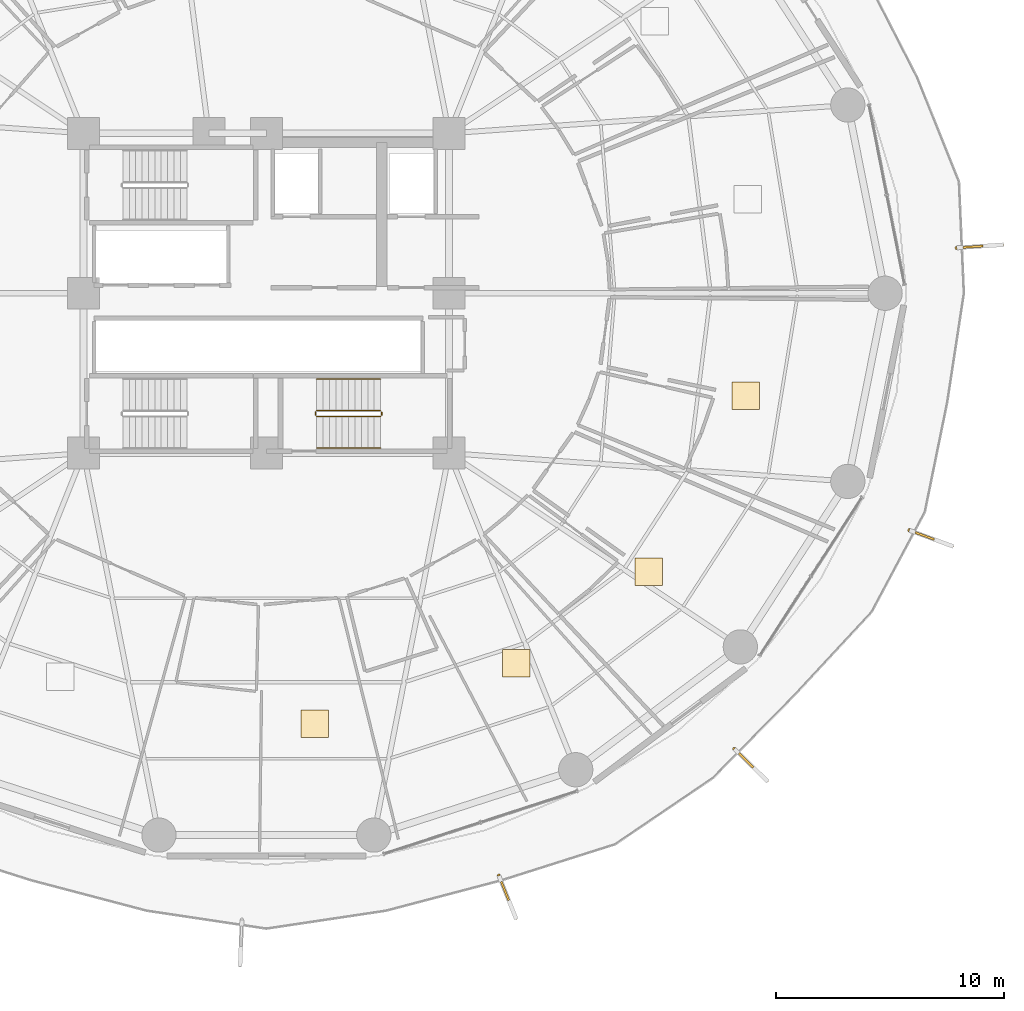
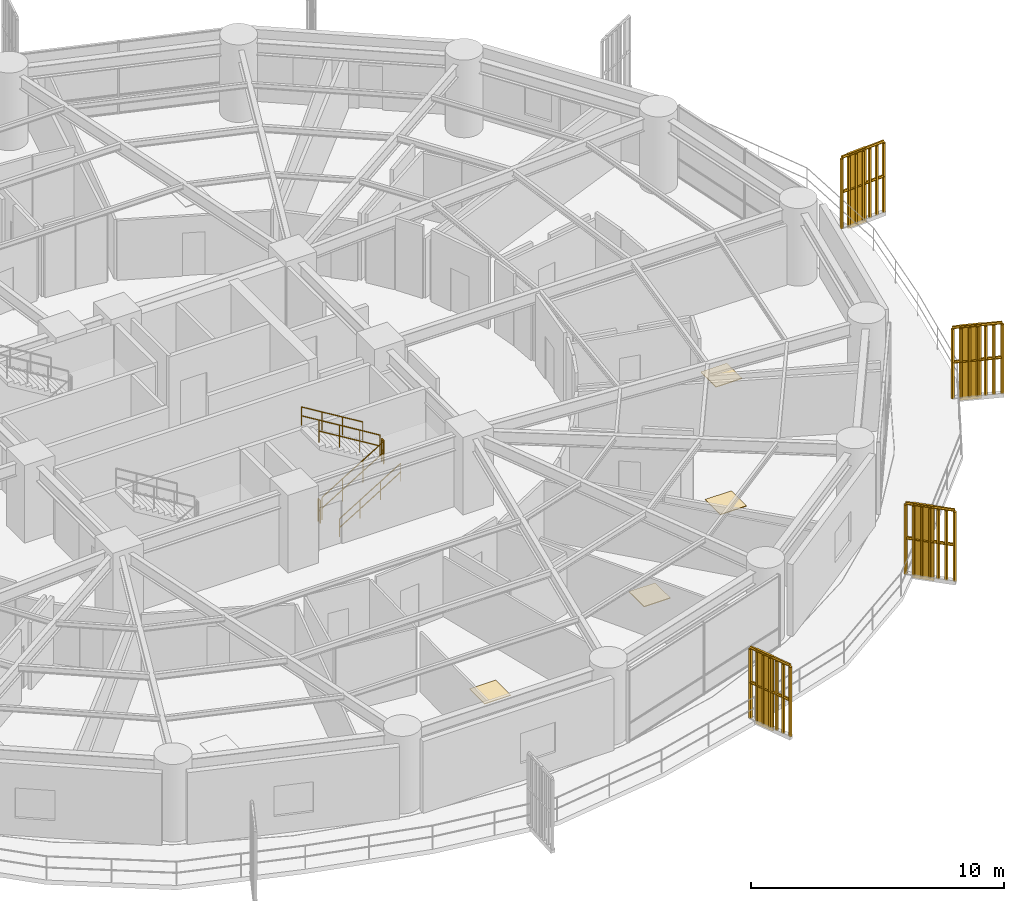
# One storey, part 31 of 33: 10 railings, 4 coverings, 4 shading devices.
"""IFC4 building model written with IfcOpenShell, lengths in metres."""

from ifc_helpers import new_model, si_unit, direction, frame, origin, origin_2d, place, context, subcontext, project, spatial, polyline, rectangle, outline, extrude, source, transform, mapped, material, layer, layer_set, type_object, element, save


model = new_model("IFC4")

# Units and contexts
model_context = context("Model", 3, precision=1e-05, world=origin(), true_north=direction((0.0, 1.0)))
body_context = subcontext(model_context, "Body", "Model", "MODEL_VIEW")
ifc_project = project(units=[si_unit("LENGTHUNIT", "METRE"), si_unit("AREAUNIT", "SQUARE_METRE"), si_unit("VOLUMEUNIT", "CUBIC_METRE"), si_unit("PLANEANGLEUNIT", "RADIAN"), si_unit("MASSUNIT", "GRAM", prefix="KILO")], contexts=[model_context])

# Site, building, storey
site_placement = place(None, origin())
site = spatial("IfcSite", under=ifc_project, at=site_placement, CompositionType="ELEMENT")
building_placement = place(site_placement, origin())
building = spatial("IfcBuilding", under=site, at=building_placement, Name="Kelanora Arch Commons", CompositionType="ELEMENT")
storey_placement = place(building_placement, frame((0.0, 0.0, 26.25)))
storey = spatial("IfcBuildingStorey", under=building, at=storey_placement, Name="L06", CompositionType="ELEMENT", Elevation=26.25)

# Railings
ifc_material_1 = material(Name="Anodised bronze vertical shading fin rib assembly")
railing_type_1 = type_object("IfcRailingType", Name="RAIL-FIN-BRZ", PredefinedType="BALUSTRADE", material=ifc_material_1)
railing_1_placement = place(storey_placement, frame((104.21435546875, 59.98828125, -0.02001953125)))
element("IfcRailing", 1, at=railing_1_placement, inside=storey, type_object=railing_type_1, Name="Sweeping Bronze Vertical Fin Blade L06-00", PredefinedType="BALUSTRADE", context=body_context, shape_type="SweptSolid", body=[
    extrude(outline(polyline([(0.06982421875, 0.0), (0.034912109375, 0.060546875), (-0.034912109375, 0.060546875), (-0.06982421875, 0.0), (-0.034912109375, -0.060546875), (0.034912109375, -0.060546875), (0.06982421875, 0.0)])), frame((0.0, 0.0, 3.419921875), z_axis=(0.997841182469, 0.065673240889, 0.0), x_axis=(-0.065673240889, 0.997841182469, 0.0)), (0.0, 0.0, 1.0), 1.99267578125),
    extrude(outline(polyline([(0.06982421875, 0.0), (0.034912109375, 0.060546875), (-0.034912109375, 0.060546875), (-0.06982421875, 0.0), (-0.034912109375, -0.060546875), (0.034912109375, -0.060546875), (0.06982421875, 0.0)])), frame((0.0, 0.0, 1.7451171875), z_axis=(0.997841182469, 0.065673240889, 0.0), x_axis=(-0.065673240889, 0.997841182469, 0.0)), (0.0, 0.0, 1.0), 1.99267578125),
    extrude(outline(polyline([(0.080078125, 0.0), (0.0400390625, 0.0693359375), (-0.0400390625, 0.0693359375), (-0.080078125, 0.0), (-0.0400390625, -0.0693359375), (0.0400390625, -0.0693359375), (0.080078125, 0.0)])), origin(), (0.0, 0.0, 1.0), 3.35009765625),
    extrude(outline(polyline([(0.080078125, 0.0), (0.0400390625, 0.0693359375), (-0.0400390625, 0.0693359375), (-0.080078125, 0.0), (-0.0400390625, -0.0693359375), (0.0400390625, -0.0693359375), (0.080078125, 0.0)])), frame((0.331298828125, 0.021728515625, 0.0)), (0.0, 0.0, 1.0), 3.35009765625),
    extrude(outline(polyline([(0.080078125, 0.0), (0.0400390625, 0.0693359375), (-0.0400390625, 0.0693359375), (-0.080078125, 0.0), (-0.0400390625, -0.0693359375), (0.0400390625, -0.0693359375), (0.080078125, 0.0)])), frame((0.662841796875, 0.043701171875, 0.0)), (0.0, 0.0, 1.0), 3.35009765625),
    extrude(outline(polyline([(0.080078125, 0.0), (0.0400390625, 0.0693359375), (-0.0400390625, 0.0693359375), (-0.080078125, 0.0), (-0.0400390625, -0.0693359375), (0.0400390625, -0.0693359375), (0.080078125, 0.0)])), frame((0.994140625, 0.0654296875, 0.0)), (0.0, 0.0, 1.0), 3.35009765625),
    extrude(outline(polyline([(0.080078125, 0.0), (0.0400390625, 0.0693359375), (-0.0400390625, 0.0693359375), (-0.080078125, 0.0), (-0.0400390625, -0.0693359375), (0.0400390625, -0.0693359375), (0.080078125, 0.0)])), frame((1.325439453125, 0.087158203125, 0.0)), (0.0, 0.0, 1.0), 3.35009765625),
    extrude(outline(polyline([(0.080078125, 0.0), (0.0400390625, 0.0693359375), (-0.0400390625, 0.0693359375), (-0.080078125, 0.0), (-0.0400390625, -0.0693359375), (0.0400390625, -0.0693359375), (0.080078125, 0.0)])), frame((1.656982421875, 0.109130859375, 0.0)), (0.0, 0.0, 1.0), 3.35009765625),
    extrude(outline(polyline([(0.080078125, 0.0), (0.0400390625, 0.0693359375), (-0.0400390625, 0.0693359375), (-0.080078125, 0.0), (-0.0400390625, -0.0693359375), (0.0400390625, -0.0693359375), (0.080078125, 0.0)])), frame((1.98828125, 0.130859375, 0.0)), (0.0, 0.0, 1.0), 3.35009765625),
])
railing_2_placement = place(storey_placement, frame((84.177734375, 32.508544921875, -0.02001953125)))
element("IfcRailing", 2, at=railing_2_placement, inside=storey, type_object=railing_type_1, Name="Sweeping Bronze Vertical Fin Blade L06-12", PredefinedType="BALUSTRADE", context=body_context, shape_type="SweptSolid", body=[
    extrude(outline(polyline([(0.06982421875, 0.0), (0.034912109375, 0.060546875), (-0.034912109375, 0.060546875), (-0.06982421875, 0.0), (-0.034912109375, -0.060546875), (0.034912109375, -0.060546875), (0.06982421875, 0.0)])), frame((0.0, 0.0, 3.419921875), z_axis=(0.370799039728, -0.928713126933, 0.0), x_axis=(0.928713126933, 0.370799039728, 0.0)), (0.0, 0.0, 1.0), 1.992431640625),
    extrude(outline(polyline([(0.06982421875, 0.0), (0.034912109375, 0.060546875), (-0.034912109375, 0.060546875), (-0.06982421875, 0.0), (-0.034912109375, -0.060546875), (0.034912109375, -0.060546875), (0.06982421875, 0.0)])), frame((0.0, 0.0, 1.7451171875), z_axis=(0.370799039728, -0.928713126933, 0.0), x_axis=(0.928713126933, 0.370799039728, 0.0)), (0.0, 0.0, 1.0), 1.992431640625),
    extrude(outline(polyline([(0.080078125, 0.0), (0.0400390625, 0.0693359375), (-0.0400390625, 0.0693359375), (-0.080078125, 0.0), (-0.0400390625, -0.0693359375), (0.0400390625, -0.0693359375), (0.080078125, 0.0)])), origin(), (0.0, 0.0, 1.0), 3.35009765625),
    extrude(outline(polyline([(0.080078125, 0.0), (0.0400390625, 0.0693359375), (-0.0400390625, 0.0693359375), (-0.080078125, 0.0), (-0.0400390625, -0.0693359375), (0.0400390625, -0.0693359375), (0.080078125, 0.0)])), frame((0.123046875, -0.308349609375, 0.0)), (0.0, 0.0, 1.0), 3.35009765625),
    extrude(outline(polyline([(0.080078125, 0.0), (0.0400390625, 0.0693359375), (-0.0400390625, 0.0693359375), (-0.080078125, 0.0), (-0.0400390625, -0.0693359375), (0.0400390625, -0.0693359375), (0.080078125, 0.0)])), frame((0.246337890625, -0.61669921875, 0.0)), (0.0, 0.0, 1.0), 3.35009765625),
    extrude(outline(polyline([(0.080078125, 0.0), (0.0400390625, 0.0693359375), (-0.0400390625, 0.0693359375), (-0.080078125, 0.0), (-0.0400390625, -0.0693359375), (0.0400390625, -0.0693359375), (0.080078125, 0.0)])), frame((0.369384765625, -0.92529296875, 0.0)), (0.0, 0.0, 1.0), 3.35009765625),
    extrude(outline(polyline([(0.080078125, 0.0), (0.0400390625, 0.0693359375), (-0.0400390625, 0.0693359375), (-0.080078125, 0.0), (-0.0400390625, -0.0693359375), (0.0400390625, -0.0693359375), (0.080078125, 0.0)])), frame((0.492431640625, -1.233642578125, 0.0)), (0.0, 0.0, 1.0), 3.35009765625),
    extrude(outline(polyline([(0.080078125, 0.0), (0.0400390625, 0.0693359375), (-0.0400390625, 0.0693359375), (-0.080078125, 0.0), (-0.0400390625, -0.0693359375), (0.0400390625, -0.0693359375), (0.080078125, 0.0)])), frame((0.61572265625, -1.5419921875, 0.0)), (0.0, 0.0, 1.0), 3.35009765625),
    extrude(outline(polyline([(0.080078125, 0.0), (0.0400390625, 0.0693359375), (-0.0400390625, 0.0693359375), (-0.080078125, 0.0), (-0.0400390625, -0.0693359375), (0.0400390625, -0.0693359375), (0.080078125, 0.0)])), frame((0.73876953125, -1.850341796875, 0.0)), (0.0, 0.0, 1.0), 3.35009765625),
])
railing_3_placement = place(storey_placement, frame((94.47998046875, 38.059814453125, -0.02001953125)))
element("IfcRailing", 3, at=railing_3_placement, inside=storey, type_object=railing_type_1, Name="Sweeping Bronze Vertical Fin Blade L06-13", PredefinedType="BALUSTRADE", context=body_context, shape_type="SweptSolid", body=[
    extrude(outline(polyline([(0.06982421875, 0.0), (0.034912109375, 0.060546875), (-0.034912109375, 0.060546875), (-0.06982421875, 0.0), (-0.034912109375, -0.060546875), (0.034912109375, -0.060546875), (0.06982421875, 0.0)])), frame((0.0, 0.0, 3.419921875), z_axis=(0.716479246897, -0.697608406462, 0.0), x_axis=(0.697608406462, 0.716479246897, 0.0)), (0.0, 0.0, 1.0), 1.992431640625),
    extrude(outline(polyline([(0.06982421875, 0.0), (0.034912109375, 0.060546875), (-0.034912109375, 0.060546875), (-0.06982421875, 0.0), (-0.034912109375, -0.060546875), (0.034912109375, -0.060546875), (0.06982421875, 0.0)])), frame((0.0, 0.0, 1.7451171875), z_axis=(0.716479246897, -0.697608406462, 0.0), x_axis=(0.697608406462, 0.716479246897, 0.0)), (0.0, 0.0, 1.0), 1.992431640625),
    extrude(outline(polyline([(0.080078125, 0.0), (0.0400390625, 0.0693359375), (-0.0400390625, 0.0693359375), (-0.080078125, 0.0), (-0.0400390625, -0.0693359375), (0.0400390625, -0.0693359375), (0.080078125, 0.0)])), origin(), (0.0, 0.0, 1.0), 3.35009765625),
    extrude(outline(polyline([(0.080078125, 0.0), (0.0400390625, 0.0693359375), (-0.0400390625, 0.0693359375), (-0.080078125, 0.0), (-0.0400390625, -0.0693359375), (0.0400390625, -0.0693359375), (0.080078125, 0.0)])), frame((0.23779296875, -0.231689453125, 0.0)), (0.0, 0.0, 1.0), 3.35009765625),
    extrude(outline(polyline([(0.080078125, 0.0), (0.0400390625, 0.0693359375), (-0.0400390625, 0.0693359375), (-0.080078125, 0.0), (-0.0400390625, -0.0693359375), (0.0400390625, -0.0693359375), (0.080078125, 0.0)])), frame((0.475830078125, -0.46337890625, 0.0)), (0.0, 0.0, 1.0), 3.35009765625),
    extrude(outline(polyline([(0.080078125, 0.0), (0.0400390625, 0.0693359375), (-0.0400390625, 0.0693359375), (-0.080078125, 0.0), (-0.0400390625, -0.0693359375), (0.0400390625, -0.0693359375), (0.080078125, 0.0)])), frame((0.7138671875, -0.69482421875, 0.0)), (0.0, 0.0, 1.0), 3.35009765625),
    extrude(outline(polyline([(0.080078125, 0.0), (0.0400390625, 0.0693359375), (-0.0400390625, 0.0693359375), (-0.080078125, 0.0), (-0.0400390625, -0.0693359375), (0.0400390625, -0.0693359375), (0.080078125, 0.0)])), frame((0.95166015625, -0.926513671875, 0.0)), (0.0, 0.0, 1.0), 3.35009765625),
    extrude(outline(polyline([(0.080078125, 0.0), (0.0400390625, 0.0693359375), (-0.0400390625, 0.0693359375), (-0.080078125, 0.0), (-0.0400390625, -0.0693359375), (0.0400390625, -0.0693359375), (0.080078125, 0.0)])), frame((1.189453125, -1.158203125, 0.0)), (0.0, 0.0, 1.0), 3.35009765625),
    extrude(outline(polyline([(0.080078125, 0.0), (0.0400390625, 0.0693359375), (-0.0400390625, 0.0693359375), (-0.080078125, 0.0), (-0.0400390625, -0.0693359375), (0.0400390625, -0.0693359375), (0.080078125, 0.0)])), frame((1.427490234375, -1.389892578125, 0.0)), (0.0, 0.0, 1.0), 3.35009765625),
])
railing_4_placement = place(storey_placement, frame((102.14013671875, 47.626953125, -0.02001953125)))
element("IfcRailing", 4, at=railing_4_placement, inside=storey, type_object=railing_type_1, Name="Sweeping Bronze Vertical Fin Blade L06-14", PredefinedType="BALUSTRADE", context=body_context, shape_type="SweptSolid", body=[
    extrude(outline(polyline([(0.06982421875, 0.0), (0.034912109375, 0.060546875), (-0.034912109375, 0.060546875), (-0.06982421875, 0.0), (-0.034912109375, -0.060546875), (0.034912109375, -0.060546875), (0.06982421875, 0.0)])), frame((0.0, 0.0, 3.419921875), z_axis=(0.938263592579, -0.345921133845, 0.0), x_axis=(0.345921133845, 0.938263592579, 0.0)), (0.0, 0.0, 1.0), 1.992431640625),
    extrude(outline(polyline([(0.06982421875, 0.0), (0.034912109375, 0.060546875), (-0.034912109375, 0.060546875), (-0.06982421875, 0.0), (-0.034912109375, -0.060546875), (0.034912109375, -0.060546875), (0.06982421875, 0.0)])), frame((0.0, 0.0, 1.7451171875), z_axis=(0.938263592579, -0.345921133845, 0.0), x_axis=(0.345921133845, 0.938263592579, 0.0)), (0.0, 0.0, 1.0), 1.992431640625),
    extrude(outline(polyline([(0.080078125, 0.0), (0.0400390625, 0.0693359375), (-0.0400390625, 0.0693359375), (-0.080078125, 0.0), (-0.0400390625, -0.0693359375), (0.0400390625, -0.0693359375), (0.080078125, 0.0)])), origin(), (0.0, 0.0, 1.0), 3.35009765625),
    extrude(outline(polyline([(0.080078125, 0.0), (0.0400390625, 0.0693359375), (-0.0400390625, 0.0693359375), (-0.080078125, 0.0), (-0.0400390625, -0.0693359375), (0.0400390625, -0.0693359375), (0.080078125, 0.0)])), frame((0.3115234375, -0.11474609375, 0.0)), (0.0, 0.0, 1.0), 3.35009765625),
    extrude(outline(polyline([(0.080078125, 0.0), (0.0400390625, 0.0693359375), (-0.0400390625, 0.0693359375), (-0.080078125, 0.0), (-0.0400390625, -0.0693359375), (0.0400390625, -0.0693359375), (0.080078125, 0.0)])), frame((0.623046875, -0.229736328125, 0.0)), (0.0, 0.0, 1.0), 3.35009765625),
    extrude(outline(polyline([(0.080078125, 0.0), (0.0400390625, 0.0693359375), (-0.0400390625, 0.0693359375), (-0.080078125, 0.0), (-0.0400390625, -0.0693359375), (0.0400390625, -0.0693359375), (0.080078125, 0.0)])), frame((0.9345703125, -0.3447265625, 0.0)), (0.0, 0.0, 1.0), 3.35009765625),
    extrude(outline(polyline([(0.080078125, 0.0), (0.0400390625, 0.0693359375), (-0.0400390625, 0.0693359375), (-0.080078125, 0.0), (-0.0400390625, -0.0693359375), (0.0400390625, -0.0693359375), (0.080078125, 0.0)])), frame((1.246337890625, -0.45947265625, 0.0)), (0.0, 0.0, 1.0), 3.35009765625),
    extrude(outline(polyline([(0.080078125, 0.0), (0.0400390625, 0.0693359375), (-0.0400390625, 0.0693359375), (-0.080078125, 0.0), (-0.0400390625, -0.0693359375), (0.0400390625, -0.0693359375), (0.080078125, 0.0)])), frame((1.557861328125, -0.57421875, 0.0)), (0.0, 0.0, 1.0), 3.35009765625),
    extrude(outline(polyline([(0.080078125, 0.0), (0.0400390625, 0.0693359375), (-0.0400390625, 0.0693359375), (-0.080078125, 0.0), (-0.0400390625, -0.0693359375), (0.0400390625, -0.0693359375), (0.080078125, 0.0)])), frame((1.869384765625, -0.689208984375, 0.0)), (0.0, 0.0, 1.0), 3.35009765625),
])
ifc_material_2 = material(Name="Painted steel stair well guard", Category="steel")
railing_type_2 = type_object("IfcRailingType", Name="RAIL-STAIR-GRD", PredefinedType="GUARDRAIL", material=ifc_material_2)
railing_5_placement = place(storey_placement, frame((76.199951171875, 52.610107421875, 0.17041015625)))
element("IfcRailing", 5, at=railing_5_placement, inside=storey, type_object=railing_type_2, Name="L06 ST-T2 stair guard 1", PredefinedType="GUARDRAIL", context=body_context, shape_type="SweptSolid", body=[
    extrude(outline(polyline([(0.02392578125, 0.0), (0.011962890625, 0.020751953125), (-0.011962890625, 0.020751953125), (-0.02392578125, 0.0), (-0.011962890625, -0.020751953125), (0.011962890625, -0.020751953125), (0.02392578125, 0.0)])), frame((0.0, 0.0, 1.076171875), z_axis=(0.854169791009, 0.0, 0.51999420009), x_axis=(0.0, 1.0, 0.0)), (0.0, 0.0, 1.0), 3.278076171875),
    extrude(outline(polyline([(0.02392578125, 0.0), (0.011962890625, 0.020751953125), (-0.011962890625, 0.020751953125), (-0.02392578125, 0.0), (-0.011962890625, -0.020751953125), (0.011962890625, -0.020751953125), (0.02392578125, 0.0)])), frame((0.0, 0.0, 0.550048828125), z_axis=(0.854169791009, 0.0, 0.51999420009), x_axis=(0.0, 1.0, 0.0)), (0.0, 0.0, 1.0), 3.278076171875),
    extrude(outline(polyline([(0.02099609375, 0.0), (0.010498046875, 0.01806640625), (-0.010498046875, 0.01806640625), (-0.02099609375, 0.0), (-0.010498046875, -0.01806640625), (0.010498046875, -0.01806640625), (0.02099609375, 0.0)])), origin(), (0.0, 0.0, 1.0), 1.052001953125),
    extrude(outline(polyline([(0.02099609375, 0.0), (0.010498046875, 0.01806640625), (-0.010498046875, 0.01806640625), (-0.02099609375, 0.0), (-0.010498046875, -0.01806640625), (0.010498046875, -0.01806640625), (0.02099609375, 0.0)])), frame((0.933349609375, 0.0, 0.568115234375)), (0.0, 0.0, 1.0), 1.052001953125),
    extrude(outline(polyline([(0.02099609375, 0.0), (0.010498046875, 0.01806640625), (-0.010498046875, 0.01806640625), (-0.02099609375, 0.0), (-0.010498046875, -0.01806640625), (0.010498046875, -0.01806640625), (0.02099609375, 0.0)])), frame((1.86669921875, 0.0, 1.136474609375)), (0.0, 0.0, 1.0), 1.052001953125),
    extrude(outline(polyline([(0.02099609375, 0.0), (0.010498046875, 0.01806640625), (-0.010498046875, 0.01806640625), (-0.02099609375, 0.0), (-0.010498046875, -0.01806640625), (0.010498046875, -0.01806640625), (0.02099609375, 0.0)])), frame((2.800048828125, 0.0, 1.70458984375)), (0.0, 0.0, 1.0), 1.052001953125),
])
railing_6_placement = place(storey_placement, frame((79.050048828125, 52.659912109375, 1.875)))
element("IfcRailing", 6, at=railing_6_placement, inside=storey, type_object=railing_type_2, Name="L06 ST-T2 stair guard 2", PredefinedType="GUARDRAIL", context=body_context, shape_type="SweptSolid", body=[
    extrude(outline(polyline([(0.02392578125, 0.0), (0.011962890625, 0.020751953125), (-0.011962890625, 0.020751953125), (-0.02392578125, 0.0), (-0.011962890625, -0.020751953125), (0.011962890625, -0.020751953125), (0.02392578125, 0.0)])), frame((0.0, 0.0, 1.076171875), z_axis=(0.0, 1.0, 0.0), x_axis=(-1.0, 0.0, 0.0)), (0.0, 0.0, 1.0), 0.150146484375),
    extrude(outline(polyline([(0.02392578125, 0.0), (0.011962890625, 0.020751953125), (-0.011962890625, 0.020751953125), (-0.02392578125, 0.0), (-0.011962890625, -0.020751953125), (0.011962890625, -0.020751953125), (0.02392578125, 0.0)])), frame((0.0, 0.0, 0.550048828125), z_axis=(0.0, 1.0, 0.0), x_axis=(-1.0, 0.0, 0.0)), (0.0, 0.0, 1.0), 0.150146484375),
    extrude(outline(polyline([(0.02099609375, 0.0), (0.010498046875, 0.01806640625), (-0.010498046875, 0.01806640625), (-0.02099609375, 0.0), (-0.010498046875, -0.01806640625), (0.010498046875, -0.01806640625), (0.02099609375, 0.0)])), origin(), (0.0, 0.0, 1.0), 1.052001953125),
    extrude(outline(polyline([(0.02099609375, 0.0), (0.010498046875, 0.01806640625), (-0.010498046875, 0.01806640625), (-0.02099609375, 0.0), (-0.010498046875, -0.01806640625), (0.010498046875, -0.01806640625), (0.02099609375, 0.0)])), frame((0.0, 0.150146484375, 0.0)), (0.0, 0.0, 1.0), 1.052001953125),
])
railing_7_placement = place(storey_placement, frame((79.0, 52.860107421875, 2.04541015625)))
element("IfcRailing", 7, at=railing_7_placement, inside=storey, type_object=railing_type_2, Name="L06 ST-T2 stair guard 3", PredefinedType="GUARDRAIL", context=body_context, shape_type="SweptSolid", body=[
    extrude(outline(polyline([(0.02392578125, 0.0), (0.011962890625, 0.020751953125), (-0.011962890625, 0.020751953125), (-0.02392578125, 0.0), (-0.011962890625, -0.020751953125), (0.011962890625, -0.020751953125), (0.02392578125, 0.0)])), frame((0.0, 0.0, 1.076171875), z_axis=(-0.854169791009, 0.0, 0.51999420009), x_axis=(0.0, -1.0, 0.0)), (0.0, 0.0, 1.0), 3.278076171875),
    extrude(outline(polyline([(0.02392578125, 0.0), (0.011962890625, 0.020751953125), (-0.011962890625, 0.020751953125), (-0.02392578125, 0.0), (-0.011962890625, -0.020751953125), (0.011962890625, -0.020751953125), (0.02392578125, 0.0)])), frame((0.0, 0.0, 0.550048828125), z_axis=(-0.854169791009, 0.0, 0.51999420009), x_axis=(0.0, -1.0, 0.0)), (0.0, 0.0, 1.0), 3.278076171875),
    extrude(outline(polyline([(0.02099609375, 0.0), (0.010498046875, 0.01806640625), (-0.010498046875, 0.01806640625), (-0.02099609375, 0.0), (-0.010498046875, -0.01806640625), (0.010498046875, -0.01806640625), (0.02099609375, 0.0)])), origin(), (0.0, 0.0, 1.0), 1.052001953125),
    extrude(outline(polyline([(0.02099609375, 0.0), (0.010498046875, 0.01806640625), (-0.010498046875, 0.01806640625), (-0.02099609375, 0.0), (-0.010498046875, -0.01806640625), (0.010498046875, -0.01806640625), (0.02099609375, 0.0)])), frame((-0.933349609375, 0.0, 0.568115234375)), (0.0, 0.0, 1.0), 1.052001953125),
    extrude(outline(polyline([(0.02099609375, 0.0), (0.010498046875, 0.01806640625), (-0.010498046875, 0.01806640625), (-0.02099609375, 0.0), (-0.010498046875, -0.01806640625), (0.010498046875, -0.01806640625), (0.02099609375, 0.0)])), frame((-1.86669921875, 0.0, 1.136474609375)), (0.0, 0.0, 1.0), 1.052001953125),
    extrude(outline(polyline([(0.02099609375, 0.0), (0.010498046875, 0.01806640625), (-0.010498046875, 0.01806640625), (-0.02099609375, 0.0), (-0.010498046875, -0.01806640625), (0.010498046875, -0.01806640625), (0.02099609375, 0.0)])), frame((-2.800048828125, 0.0, 1.70458984375)), (0.0, 0.0, 1.0), 1.052001953125),
])
railing_8_placement = place(storey_placement, frame((76.14990234375, 52.659912109375, 0.0)))
element("IfcRailing", 8, at=railing_8_placement, inside=storey, type_object=railing_type_2, Name="L06 ST-T2 stair guard 4", PredefinedType="GUARDRAIL", context=body_context, shape_type="SweptSolid", body=[
    extrude(outline(polyline([(0.02392578125, 0.0), (0.011962890625, 0.020751953125), (-0.011962890625, 0.020751953125), (-0.02392578125, 0.0), (-0.011962890625, -0.020751953125), (0.011962890625, -0.020751953125), (0.02392578125, 0.0)])), frame((0.0, 0.0, 1.076171875), z_axis=(0.0, 1.0, 0.0), x_axis=(-1.0, 0.0, 0.0)), (0.0, 0.0, 1.0), 0.150146484375),
    extrude(outline(polyline([(0.02392578125, 0.0), (0.011962890625, 0.020751953125), (-0.011962890625, 0.020751953125), (-0.02392578125, 0.0), (-0.011962890625, -0.020751953125), (0.011962890625, -0.020751953125), (0.02392578125, 0.0)])), frame((0.0, 0.0, 0.550048828125), z_axis=(0.0, 1.0, 0.0), x_axis=(-1.0, 0.0, 0.0)), (0.0, 0.0, 1.0), 0.150146484375),
    extrude(outline(polyline([(0.02099609375, 0.0), (0.010498046875, 0.01806640625), (-0.010498046875, 0.01806640625), (-0.02099609375, 0.0), (-0.010498046875, -0.01806640625), (0.010498046875, -0.01806640625), (0.02099609375, 0.0)])), origin(), (0.0, 0.0, 1.0), 1.052001953125),
    extrude(outline(polyline([(0.02099609375, 0.0), (0.010498046875, 0.01806640625), (-0.010498046875, 0.01806640625), (-0.02099609375, 0.0), (-0.010498046875, -0.01806640625), (0.010498046875, -0.01806640625), (0.02099609375, 0.0)])), frame((0.0, 0.150146484375, 0.0)), (0.0, 0.0, 1.0), 1.052001953125),
])
ifc_material_3 = material(Name="Brushed stainless steel stair handrail", Category="steel")
railing_type_3 = type_object("IfcRailingType", Name="RAIL-STAIR-HND", PredefinedType="HANDRAIL", material=ifc_material_3)
railing_9_placement = place(storey_placement, frame((76.199951171875, 51.22998046875, 0.17041015625)))
element("IfcRailing", 9, at=railing_9_placement, inside=storey, type_object=railing_type_3, Name="L06 ST-T2 stair handrail 1", PredefinedType="HANDRAIL", context=body_context, shape_type="SweptSolid", body=[
    extrude(outline(polyline([(0.02392578125, 0.0), (0.011962890625, 0.020751953125), (-0.011962890625, 0.020751953125), (-0.02392578125, 0.0), (-0.011962890625, -0.020751953125), (0.011962890625, -0.020751953125), (0.02392578125, 0.0)])), frame((0.0, 0.0, 0.8759765625), z_axis=(0.854169791009, 0.0, 0.51999420009), x_axis=(0.0, 1.0, 0.0)), (0.0, 0.0, 1.0), 3.278076171875),
    extrude(outline(polyline([(0.02392578125, 0.0), (0.011962890625, 0.020751953125), (-0.011962890625, 0.020751953125), (-0.02392578125, 0.0), (-0.011962890625, -0.020751953125), (0.011962890625, -0.020751953125), (0.02392578125, 0.0)])), frame((0.0, 0.0, 0.449951171875), z_axis=(0.854169791009, 0.0, 0.51999420009), x_axis=(0.0, 1.0, 0.0)), (0.0, 0.0, 1.0), 3.278076171875),
    extrude(outline(polyline([(0.02099609375, 0.0), (0.010498046875, 0.01806640625), (-0.010498046875, 0.01806640625), (-0.02099609375, 0.0), (-0.010498046875, -0.01806640625), (0.010498046875, -0.01806640625), (0.02099609375, 0.0)])), origin(), (0.0, 0.0, 1.0), 0.851806640625),
    extrude(outline(polyline([(0.02099609375, 0.0), (0.010498046875, 0.01806640625), (-0.010498046875, 0.01806640625), (-0.02099609375, 0.0), (-0.010498046875, -0.01806640625), (0.010498046875, -0.01806640625), (0.02099609375, 0.0)])), frame((0.933349609375, 0.0, 0.568115234375)), (0.0, 0.0, 1.0), 0.851806640625),
    extrude(outline(polyline([(0.02099609375, 0.0), (0.010498046875, 0.01806640625), (-0.010498046875, 0.01806640625), (-0.02099609375, 0.0), (-0.010498046875, -0.01806640625), (0.010498046875, -0.01806640625), (0.02099609375, 0.0)])), frame((1.86669921875, 0.0, 1.136474609375)), (0.0, 0.0, 1.0), 0.851806640625),
    extrude(outline(polyline([(0.02099609375, 0.0), (0.010498046875, 0.01806640625), (-0.010498046875, 0.01806640625), (-0.02099609375, 0.0), (-0.010498046875, -0.01806640625), (0.010498046875, -0.01806640625), (0.02099609375, 0.0)])), frame((2.800048828125, 0.0, 1.70458984375)), (0.0, 0.0, 1.0), 0.851806640625),
])
railing_10_placement = place(storey_placement, frame((79.0, 54.239990234375, 2.04541015625)))
element("IfcRailing", 10, at=railing_10_placement, inside=storey, type_object=railing_type_3, Name="L06 ST-T2 stair handrail 2", PredefinedType="HANDRAIL", context=body_context, shape_type="SweptSolid", body=[
    extrude(outline(polyline([(0.02392578125, 0.0), (0.011962890625, 0.020751953125), (-0.011962890625, 0.020751953125), (-0.02392578125, 0.0), (-0.011962890625, -0.020751953125), (0.011962890625, -0.020751953125), (0.02392578125, 0.0)])), frame((0.0, 0.0, 0.8759765625), z_axis=(-0.854169791009, 0.0, 0.51999420009), x_axis=(0.0, -1.0, 0.0)), (0.0, 0.0, 1.0), 3.278076171875),
    extrude(outline(polyline([(0.02392578125, 0.0), (0.011962890625, 0.020751953125), (-0.011962890625, 0.020751953125), (-0.02392578125, 0.0), (-0.011962890625, -0.020751953125), (0.011962890625, -0.020751953125), (0.02392578125, 0.0)])), frame((0.0, 0.0, 0.449951171875), z_axis=(-0.854169791009, 0.0, 0.51999420009), x_axis=(0.0, -1.0, 0.0)), (0.0, 0.0, 1.0), 3.278076171875),
    extrude(outline(polyline([(0.02099609375, 0.0), (0.010498046875, 0.01806640625), (-0.010498046875, 0.01806640625), (-0.02099609375, 0.0), (-0.010498046875, -0.01806640625), (0.010498046875, -0.01806640625), (0.02099609375, 0.0)])), origin(), (0.0, 0.0, 1.0), 0.851806640625),
    extrude(outline(polyline([(0.02099609375, 0.0), (0.010498046875, 0.01806640625), (-0.010498046875, 0.01806640625), (-0.02099609375, 0.0), (-0.010498046875, -0.01806640625), (0.010498046875, -0.01806640625), (0.02099609375, 0.0)])), frame((-0.933349609375, 0.0, 0.568115234375)), (0.0, 0.0, 1.0), 0.851806640625),
    extrude(outline(polyline([(0.02099609375, 0.0), (0.010498046875, 0.01806640625), (-0.010498046875, 0.01806640625), (-0.02099609375, 0.0), (-0.010498046875, -0.01806640625), (0.010498046875, -0.01806640625), (0.02099609375, 0.0)])), frame((-1.86669921875, 0.0, 1.136474609375)), (0.0, 0.0, 1.0), 0.851806640625),
    extrude(outline(polyline([(0.02099609375, 0.0), (0.010498046875, 0.01806640625), (-0.010498046875, 0.01806640625), (-0.02099609375, 0.0), (-0.010498046875, -0.01806640625), (0.010498046875, -0.01806640625), (0.02099609375, 0.0)])), frame((-2.800048828125, 0.0, 1.70458984375)), (0.0, 0.0, 1.0), 0.851806640625),
])

# Shading devices
ifc_material_4 = material(Name="Terracotta ceramic-clad extruded aluminium fin", Category="masonry")
shading_device_type = type_object("IfcShadingDeviceType", Name="SHD-FIN-FLARE", PredefinedType="USERDEFINED", material=ifc_material_4)
shared_shape_1 = source(origin(), body_context, "Body", "SweptSolid", [
    extrude(rectangle(XDim=0.8798828125, YDim=0.090087890625, at=origin_2d()), origin(), (0.0, 0.0, 1.0), 3.610107421875),
])
for number, where, z_axis, x_axis, name in (
    (11, (104.932861328125, 60.03564453125, -0.14013671875), (0.0, 0.0, 1.0), (0.997836032447, 0.065751443712, 0.0), "Sweeping Terracotta Fin L06-00"),
    (12, (84.44482421875, 31.83984375, -0.14013671875), (0.0, 0.0, 1.0), (0.370719539713, -0.928744864252, 0.0), "Sweeping Terracotta Fin L06-12"),
    (13, (94.99560546875, 37.5576171875, -0.14013671875), (0.0, 0.0, 1.0), (0.716423719924, -0.697665430941, 0.0), "Sweeping Terracotta Fin L06-13"),
    (14, (102.815673828125, 47.3779296875, -0.14013671875), (0.0, 0.0, 1.0), (0.938251730455, -0.345953306528, 0.0), "Sweeping Terracotta Fin L06-14"),
):
    element("IfcShadingDevice", number, at=place(storey_placement, frame(where, z_axis=z_axis, x_axis=x_axis)), inside=storey, type_object=shading_device_type, Name=name, ObjectType="FIN", PredefinedType="USERDEFINED", context=body_context, shape_type="MappedRepresentation", body=[
        mapped(shared_shape_1, transform((0.0, 0.0, 0.0), scale=1.0)),
    ])

# Coverings
ifc_material_5 = material(Name="Polished local granite terrazzo flooring", Category="masonry")
ifc_layer = layer(ifc_material_5, 0.030029296875)
ifc_layer_set = layer_set([ifc_layer], Name="Polished local granite terrazzo flooring")
covering_type = type_object("IfcCoveringType", Name="COV-FLR-TER", PredefinedType="FLOORING", material=ifc_layer_set)
shared_shape_2 = source(origin(), body_context, "Body", "SweptSolid", [
    extrude(rectangle(XDim=1.199951171875, YDim=1.199951171875, at=origin_2d()), origin(), (0.0, 0.0, 1.0), 0.030029296875),
])
for number, where, z_axis, x_axis, name in (
    (15, (76.12255859375, 39.1591796875, 0.0), (0.0, 0.0, 1.0), (1.0, 0.0, 0.0), "Quiet Reading Carrel L06-11 Terrazzo Finish"),
    (16, (84.94091796875, 41.8134765625, 0.0), (0.0, 0.0, 1.0), (1.0, 0.0, 0.0), "Tutorial Study Alcove L06-12 Terrazzo Finish"),
    (17, (90.73291015625, 45.807373046875, 0.0), (0.0, 0.0, 1.0), (1.0, 0.0, 0.0), "Co-Living Studio L06-13 Terrazzo Finish"),
    (18, (94.982666015625, 53.51953125, 0.0), (0.0, 0.0, 1.0), (1.0, 0.0, 0.0), "Co-Living Studio L06-14 Terrazzo Finish"),
):
    element("IfcCovering", number, at=place(storey_placement, frame(where, z_axis=z_axis, x_axis=x_axis)), inside=storey, type_object=covering_type, Name=name, PredefinedType="FLOORING", context=body_context, shape_type="MappedRepresentation", body=[
        mapped(shared_shape_2, transform((0.0, 0.0, 0.0), scale=1.0)),
    ])

save(model, "model.ifc")
